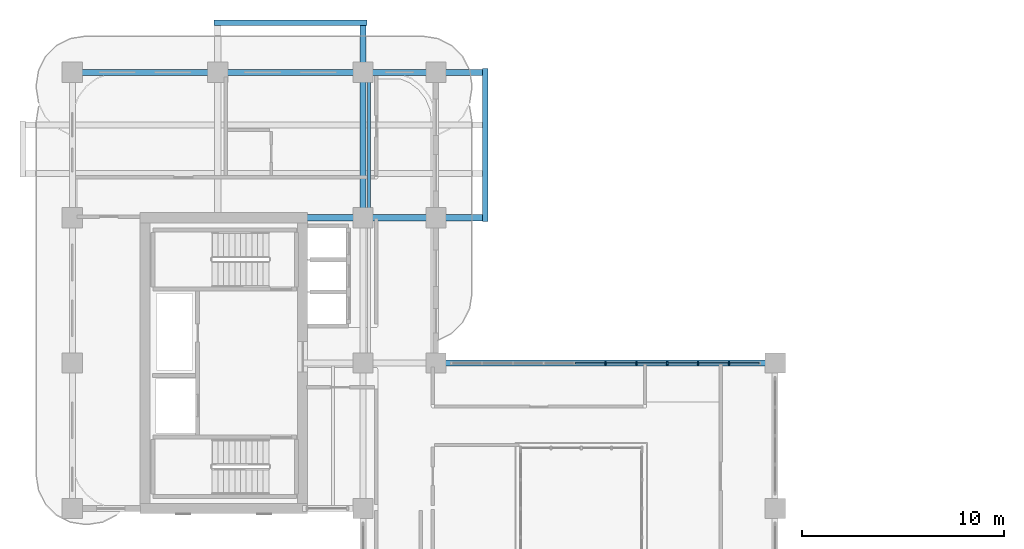
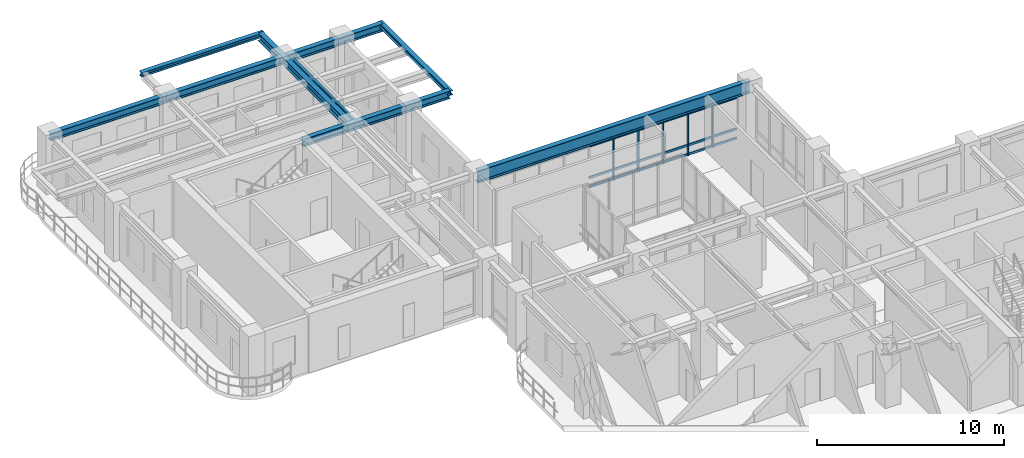
# One storey, part 6 of 21: 23 members, 8 beams, 1 element without a shape of its own.
"""IFC4 building model written with IfcOpenShell, lengths in metres."""

from ifc_helpers import new_model, si_unit, derived_unit, direction, frame, origin, origin_2d, place, context, subcontext, project, spatial, rectangle, i_section, extrude, source, transform, mapped, material, layer, layer_set, material_profile, profile_set, type_object, type_shapes, element, aggregate, save


model = new_model("IFC4")

# Units and contexts
model_context = context("Model", 3, precision=1e-05, world=origin(), true_north=direction((0.0, 1.0)))
body_context = subcontext(model_context, "Body", "Model", "MODEL_VIEW")
ifc_project = project(units=[si_unit("LENGTHUNIT", "METRE"), si_unit("AREAUNIT", "SQUARE_METRE"), si_unit("VOLUMEUNIT", "CUBIC_METRE"), si_unit("PLANEANGLEUNIT", "RADIAN"), si_unit("MASSUNIT", "GRAM", prefix="KILO"), si_unit("THERMODYNAMICTEMPERATUREUNIT", "KELVIN"), si_unit("POWERUNIT", "WATT"), derived_unit("THERMALTRANSMITTANCEUNIT", [(si_unit("POWERUNIT", "WATT"), 1), (si_unit("AREAUNIT", "SQUARE_METRE"), -1), (si_unit("THERMODYNAMICTEMPERATUREUNIT", "KELVIN"), -1)])], contexts=[model_context])

# Site, building, storey
site_placement = place(None, origin())
site = spatial("IfcSite", under=ifc_project, at=site_placement, CompositionType="ELEMENT")
building_placement = place(site_placement, origin())
building = spatial("IfcBuilding", under=site, at=building_placement, Name="Zahravan Archway Hotel and Residences", CompositionType="ELEMENT")
storey_placement = place(building_placement, frame((0.0, 0.0, 165.699951171875)))
storey = spatial("IfcBuildingStorey", under=building, at=storey_placement, Name="L41", CompositionType="ELEMENT", Elevation=165.699951171875)

# Beams
ifc_material_1 = material(Name="Structural Steel S355JR", Category="steel")
ifc_material_profile_1 = material_profile(ifc_material_1, i_section(OverallWidth=0.280029296875, OverallDepth=0.280029296875, WebThickness=0.010498046875, FlangeThickness=0.01806640625, FilletRadius=0.02392578125, at=origin_2d()), Name="HEB 280", Category="steel")
ifc_profile_set_1 = profile_set([ifc_material_profile_1], Name="Structural Steel S355JR")
beam_type_1 = type_object("IfcBeamType", Name="BM-SPN-HEB280", PredefinedType="SPANDREL", material=ifc_profile_set_1)
shared_shape_1 = source(origin(), body_context, "Body", "SweptSolid", [
    extrude(i_section(OverallWidth=0.280029296875, OverallDepth=0.280029296875, WebThickness=0.010498046875, FlangeThickness=0.01806640625, FilletRadius=0.02392578125, at=origin_2d()), origin(), (0.0, 0.0, 1.0), 7.56005859375),
])
type_shapes(beam_type_1, [shared_shape_1])
for number, where, z_axis, x_axis, name in (
    (1, (20.449951171875, 39.419921875, 3.4599609375), (0.0, 1.0, 0.0), (-1.0, 0.0, 0.0), "L42 EB Balcony Edge Spandrel"),
    (2, (7.02001953125, 49.25, 3.4599609375), (1.0, 0.0, 0.0), (0.0, 1.0, 0.0), "L42 NB Balcony Edge Spandrel"),
):
    element("IfcBeam", number, at=place(storey_placement, frame(where, z_axis=z_axis, x_axis=x_axis)), inside=storey, type_object=beam_type_1, Name=name, PredefinedType="SPANDREL", context=body_context, shape_type="MappedRepresentation", body=[
        mapped(shared_shape_1, transform((0.0, 0.0, 0.0), scale=1.0)),
    ])
ifc_material_2 = material(Name="Structural Steel S355J2", Category="steel")
ifc_material_profile_2 = material_profile(ifc_material_2, i_section(OverallWidth=0.300048828125, OverallDepth=0.800048828125, WebThickness=0.017578125, FlangeThickness=0.032958984375, FilletRadius=0.030029296875, at=origin_2d()), Name="HEB 800", Category="steel")
ifc_profile_set_2 = profile_set([ifc_material_profile_2], Name="Structural Steel S355J2")
beam_type_2 = type_object("IfcBeamType", Name="BM-PRI-HEB800", PredefinedType="BEAM", material=ifc_profile_set_2)
shared_shape_2 = source(origin(), body_context, "Body", "SweptSolid", [
    extrude(i_section(OverallWidth=0.300048828125, OverallDepth=0.800048828125, WebThickness=0.017578125, FlangeThickness=0.032958984375, FilletRadius=0.030029296875, at=origin_2d()), origin(), (0.0, 0.0, 1.0), 16.800048828125),
])
type_shapes(beam_type_2, [shared_shape_2])
beam_1_placement = place(storey_placement, frame((18.0, 32.39990234375, 3.199951171875), z_axis=(1.0, 0.0, 0.0), x_axis=(0.0, 1.0, 0.0)))
element("IfcBeam", 3, at=beam_1_placement, inside=storey, type_object=beam_type_2, Name="L41 Primary Girder EW-18", PredefinedType="BEAM", context=body_context, shape_type="MappedRepresentation", body=[
    mapped(shared_shape_2, transform((0.0, 0.0, 0.0), scale=1.0)),
])
ifc_material_profile_3 = material_profile(ifc_material_1, i_section(OverallWidth=0.300048828125, OverallDepth=0.5, WebThickness=0.014404296875, FlangeThickness=0.028076171875, FilletRadius=0.027099609375, at=origin_2d()), Name="HEB 500", Category="steel")
ifc_profile_set_3 = profile_set([ifc_material_profile_3], Name="Structural Steel S355JR")
beam_type_3 = type_object("IfcBeamType", Name="BM-PRI-HEB500", PredefinedType="BEAM", material=ifc_profile_set_3)
shared_shape_3 = source(origin(), body_context, "Body", "SweptSolid", [
    extrude(i_section(OverallWidth=0.300048828125, OverallDepth=0.5, WebThickness=0.014404296875, FlangeThickness=0.028076171875, FilletRadius=0.027099609375, at=origin_2d()), origin(), (0.0, 0.0, 1.0), 7.199951171875),
])
beam_2_placement = place(storey_placement, frame((0.0, 46.800048828125, 3.35009765625), z_axis=(1.0, 0.0, 0.0), x_axis=(0.0, 1.0, 0.0)))
element("IfcBeam", 4, at=beam_2_placement, inside=storey, type_object=beam_type_3, Name="L41 Primary Girder EW-20", PredefinedType="BEAM", context=body_context, shape_type="MappedRepresentation", body=[
    mapped(shared_shape_3, transform((0.0, 0.0, 0.0), scale=1.0)),
])
shared_shape_4 = source(origin(), body_context, "Body", "SweptSolid", [
    extrude(i_section(OverallWidth=0.300048828125, OverallDepth=0.5, WebThickness=0.014404296875, FlangeThickness=0.028076171875, FilletRadius=0.027099609375, at=origin_2d()), origin(), (0.0, 0.0, 1.0), 9.050048828125),
])
beam_3_placement = place(storey_placement, frame((11.39990234375, 39.60009765625, 3.35009765625), z_axis=(1.0, 0.0, 0.0), x_axis=(0.0, 1.0, 0.0)))
element("IfcBeam", 5, at=beam_3_placement, inside=storey, type_object=beam_type_3, Name="L41 Primary Girder EW-19", PredefinedType="BEAM", context=body_context, shape_type="MappedRepresentation", body=[
    mapped(shared_shape_4, transform((0.0, 0.0, 0.0), scale=1.0)),
])
shared_shape_5 = source(origin(), body_context, "Body", "SweptSolid", [
    extrude(i_section(OverallWidth=0.300048828125, OverallDepth=0.5, WebThickness=0.014404296875, FlangeThickness=0.028076171875, FilletRadius=0.027099609375, at=origin_2d()), origin(), (0.0, 0.0, 1.0), 13.25),
])
beam_4_placement = place(storey_placement, frame((7.199951171875, 46.800048828125, 3.35009765625), z_axis=(1.0, 0.0, 0.0), x_axis=(0.0, 1.0, 0.0)))
element("IfcBeam", 6, at=beam_4_placement, inside=storey, type_object=beam_type_3, Name="L41 Primary Girder EW-21", PredefinedType="BEAM", context=body_context, shape_type="MappedRepresentation", body=[
    mapped(shared_shape_5, transform((0.0, 0.0, 0.0), scale=1.0)),
])
shared_shape_6 = source(origin(), body_context, "Body", "SweptSolid", [
    extrude(i_section(OverallWidth=0.300048828125, OverallDepth=0.5, WebThickness=0.014404296875, FlangeThickness=0.028076171875, FilletRadius=0.027099609375, at=origin_2d()), origin(), (0.0, 0.0, 1.0), 9.64990234375),
])
beam_5_placement = place(storey_placement, frame((14.39990234375, 39.60009765625, 3.35009765625), z_axis=(0.0, 1.0, 0.0), x_axis=(-1.0, 0.0, 0.0)))
element("IfcBeam", 7, at=beam_5_placement, inside=storey, type_object=beam_type_3, Name="L41 Primary Girder NS-34", PredefinedType="BEAM", context=body_context, shape_type="MappedRepresentation", body=[
    mapped(shared_shape_6, transform((0.0, 0.0, 0.0), scale=1.0)),
])
ifc_material_profile_4 = material_profile(ifc_material_1, i_section(OverallWidth=0.14990234375, OverallDepth=0.300048828125, WebThickness=0.007080078125, FlangeThickness=0.0107421875, FilletRadius=0.014892578125, at=origin_2d()), Name="IPE 300", Category="steel")
ifc_profile_set_4 = profile_set([ifc_material_profile_4], Name="Structural Steel S355JR")
beam_type_4 = type_object("IfcBeamType", Name="BM-JST-IPE300", PredefinedType="JOIST", material=ifc_profile_set_4)
shared_shape_7 = source(origin(), body_context, "Body", "SweptSolid", [
    extrude(i_section(OverallWidth=0.14990234375, OverallDepth=0.300048828125, WebThickness=0.007080078125, FlangeThickness=0.0107421875, FilletRadius=0.014892578125, at=origin_2d()), origin(), (0.0, 0.0, 1.0), 6.904052734375),
])
type_shapes(beam_type_4, [shared_shape_7])
beam_6_placement = place(storey_placement, frame((14.699951171875, 39.748046875, 3.449951171875), z_axis=(0.0, 1.0, 0.0), x_axis=(-1.0, 0.0, 0.0)))
element("IfcBeam", 8, at=beam_6_placement, inside=storey, type_object=beam_type_4, Name="L41 Composite Floor Joist 12", PredefinedType="JOIST", context=body_context, shape_type="MappedRepresentation", body=[
    mapped(shared_shape_7, transform((0.0, 0.0, 0.0), scale=1.0)),
])

# Curtain wall, members
ifc_material_3 = material(Name="Bronze-Anodized Unitised Aluminium & Low-E Glass", Category="aluminium")
ifc_layer = layer(ifc_material_3, 0.179931640625, Name="Bronze-Anodized Unitised Aluminium & Low-E Glass", Category="aluminium")
ifc_layer_set = layer_set([ifc_layer], Name="Bronze-Anodized Unitised Aluminium & Low-E Glass")
curtain_wall_type = type_object("IfcCurtainWallType", Name="CW-ATR-GLAZ", PredefinedType="NOTDEFINED", material=ifc_layer_set)
curtain_wall_placement = place(storey_placement, origin())
curtain_wall = element("IfcCurtainWall", 9, at=curtain_wall_placement, inside=storey, type_object=curtain_wall_type, Name="L41 Curtain Wall CW-L41-HNG-N-1", PredefinedType="NOTDEFINED")
ifc_material_4 = material(Name="Bronze-Anodized Extruded Aluminium", Category="aluminium")
ifc_material_profile_5 = material_profile(ifc_material_4, rectangle(XDim=0.080078125, YDim=0.139892578125, at=origin_2d()), Name="TRN 80x140", Category="aluminium")
ifc_profile_set_5 = profile_set([ifc_material_profile_5], Name="Bronze-Anodized Extruded Aluminium")
member_type_1 = type_object("IfcMemberType", Name="CWM-TRN-140", PredefinedType="USERDEFINED", material=ifc_profile_set_5)
shared_shape_8 = source(origin(), body_context, "Body", "SweptSolid", [
    extrude(rectangle(XDim=0.080078125, YDim=0.139892578125, at=origin_2d()), origin(), (0.0, 0.0, 1.0), 1.447998046875),
])
member_1_placement = place(storey_placement, frame((24.912109375, 32.39990234375, 0.070068359375), z_axis=(1.0, 0.0, 0.0), x_axis=(0.0, 1.0, 0.0)))
member_1 = element("IfcMember", 10, at=member_1_placement, type_object=member_type_1, Name="CW-L41-HNG-N-1 Transom 4-1", ObjectType="TRANSOM", PredefinedType="USERDEFINED", context=body_context, shape_type="MappedRepresentation", body=[
    mapped(shared_shape_8, transform((0.0, 0.0, 0.0), scale=1.0)),
])
member_2_placement = place(storey_placement, frame((24.912109375, 32.39990234375, 0.66845703125), z_axis=(1.0, 0.0, 0.0), x_axis=(0.0, 1.0, 0.0)))
member_2 = element("IfcMember", 11, at=member_2_placement, type_object=member_type_1, Name="CW-L41-HNG-N-1 Transom 4-2", ObjectType="TRANSOM", PredefinedType="USERDEFINED", context=body_context, shape_type="MappedRepresentation", body=[
    mapped(shared_shape_8, transform((0.0, 0.0, 0.0), scale=1.0)),
])
member_3_placement = place(storey_placement, frame((24.912109375, 32.39990234375, 2.715087890625), z_axis=(1.0, 0.0, 0.0), x_axis=(0.0, 1.0, 0.0)))
member_3 = element("IfcMember", 12, at=member_3_placement, type_object=member_type_1, Name="CW-L41-HNG-N-1 Transom 4-3", ObjectType="TRANSOM", PredefinedType="USERDEFINED", context=body_context, shape_type="MappedRepresentation", body=[
    mapped(shared_shape_8, transform((0.0, 0.0, 0.0), scale=1.0)),
])
member_4_placement = place(storey_placement, frame((26.43994140625, 32.39990234375, 0.070068359375), z_axis=(1.0, 0.0, 0.0), x_axis=(0.0, 1.0, 0.0)))
member_4 = element("IfcMember", 13, at=member_4_placement, type_object=member_type_1, Name="CW-L41-HNG-N-1 Transom 5-1", ObjectType="TRANSOM", PredefinedType="USERDEFINED", context=body_context, shape_type="MappedRepresentation", body=[
    mapped(shared_shape_8, transform((0.0, 0.0, 0.0), scale=1.0)),
])
member_5_placement = place(storey_placement, frame((26.43994140625, 32.39990234375, 0.66845703125), z_axis=(1.0, 0.0, 0.0), x_axis=(0.0, 1.0, 0.0)))
member_5 = element("IfcMember", 14, at=member_5_placement, type_object=member_type_1, Name="CW-L41-HNG-N-1 Transom 5-2", ObjectType="TRANSOM", PredefinedType="USERDEFINED", context=body_context, shape_type="MappedRepresentation", body=[
    mapped(shared_shape_8, transform((0.0, 0.0, 0.0), scale=1.0)),
])
member_6_placement = place(storey_placement, frame((26.43994140625, 32.39990234375, 2.715087890625), z_axis=(1.0, 0.0, 0.0), x_axis=(0.0, 1.0, 0.0)))
member_6 = element("IfcMember", 15, at=member_6_placement, type_object=member_type_1, Name="CW-L41-HNG-N-1 Transom 5-3", ObjectType="TRANSOM", PredefinedType="USERDEFINED", context=body_context, shape_type="MappedRepresentation", body=[
    mapped(shared_shape_8, transform((0.0, 0.0, 0.0), scale=1.0)),
])
member_7_placement = place(storey_placement, frame((27.968017578125, 32.39990234375, 0.070068359375), z_axis=(1.0, 0.0, 0.0), x_axis=(0.0, 1.0, 0.0)))
member_7 = element("IfcMember", 16, at=member_7_placement, type_object=member_type_1, Name="CW-L41-HNG-N-1 Transom 6-1", ObjectType="TRANSOM", PredefinedType="USERDEFINED", context=body_context, shape_type="MappedRepresentation", body=[
    mapped(shared_shape_8, transform((0.0, 0.0, 0.0), scale=1.0)),
])
member_8_placement = place(storey_placement, frame((27.968017578125, 32.39990234375, 0.66845703125), z_axis=(1.0, 0.0, 0.0), x_axis=(0.0, 1.0, 0.0)))
member_8 = element("IfcMember", 17, at=member_8_placement, type_object=member_type_1, Name="CW-L41-HNG-N-1 Transom 6-2", ObjectType="TRANSOM", PredefinedType="USERDEFINED", context=body_context, shape_type="MappedRepresentation", body=[
    mapped(shared_shape_8, transform((0.0, 0.0, 0.0), scale=1.0)),
])
member_9_placement = place(storey_placement, frame((27.968017578125, 32.39990234375, 2.715087890625), z_axis=(1.0, 0.0, 0.0), x_axis=(0.0, 1.0, 0.0)))
member_9 = element("IfcMember", 18, at=member_9_placement, type_object=member_type_1, Name="CW-L41-HNG-N-1 Transom 6-3", ObjectType="TRANSOM", PredefinedType="USERDEFINED", context=body_context, shape_type="MappedRepresentation", body=[
    mapped(shared_shape_8, transform((0.0, 0.0, 0.0), scale=1.0)),
])
member_10_placement = place(storey_placement, frame((29.49609375, 32.39990234375, 0.070068359375), z_axis=(1.0, 0.0, 0.0), x_axis=(0.0, 1.0, 0.0)))
member_10 = element("IfcMember", 19, at=member_10_placement, type_object=member_type_1, Name="CW-L41-HNG-N-1 Transom 7-1", ObjectType="TRANSOM", PredefinedType="USERDEFINED", context=body_context, shape_type="MappedRepresentation", body=[
    mapped(shared_shape_8, transform((0.0, 0.0, 0.0), scale=1.0)),
])
member_11_placement = place(storey_placement, frame((29.49609375, 32.39990234375, 0.66845703125), z_axis=(1.0, 0.0, 0.0), x_axis=(0.0, 1.0, 0.0)))
member_11 = element("IfcMember", 20, at=member_11_placement, type_object=member_type_1, Name="CW-L41-HNG-N-1 Transom 7-2", ObjectType="TRANSOM", PredefinedType="USERDEFINED", context=body_context, shape_type="MappedRepresentation", body=[
    mapped(shared_shape_8, transform((0.0, 0.0, 0.0), scale=1.0)),
])
member_12_placement = place(storey_placement, frame((29.49609375, 32.39990234375, 2.715087890625), z_axis=(1.0, 0.0, 0.0), x_axis=(0.0, 1.0, 0.0)))
member_12 = element("IfcMember", 21, at=member_12_placement, type_object=member_type_1, Name="CW-L41-HNG-N-1 Transom 7-3", ObjectType="TRANSOM", PredefinedType="USERDEFINED", context=body_context, shape_type="MappedRepresentation", body=[
    mapped(shared_shape_8, transform((0.0, 0.0, 0.0), scale=1.0)),
])
member_13_placement = place(storey_placement, frame((31.02392578125, 32.39990234375, 0.070068359375), z_axis=(1.0, 0.0, 0.0), x_axis=(0.0, 1.0, 0.0)))
member_13 = element("IfcMember", 22, at=member_13_placement, type_object=member_type_1, Name="CW-L41-HNG-N-1 Transom 8-1", ObjectType="TRANSOM", PredefinedType="USERDEFINED", context=body_context, shape_type="MappedRepresentation", body=[
    mapped(shared_shape_8, transform((0.0, 0.0, 0.0), scale=1.0)),
])
member_14_placement = place(storey_placement, frame((31.02392578125, 32.39990234375, 0.66845703125), z_axis=(1.0, 0.0, 0.0), x_axis=(0.0, 1.0, 0.0)))
member_14 = element("IfcMember", 23, at=member_14_placement, type_object=member_type_1, Name="CW-L41-HNG-N-1 Transom 8-2", ObjectType="TRANSOM", PredefinedType="USERDEFINED", context=body_context, shape_type="MappedRepresentation", body=[
    mapped(shared_shape_8, transform((0.0, 0.0, 0.0), scale=1.0)),
])
member_15_placement = place(storey_placement, frame((31.02392578125, 32.39990234375, 2.715087890625), z_axis=(1.0, 0.0, 0.0), x_axis=(0.0, 1.0, 0.0)))
member_15 = element("IfcMember", 24, at=member_15_placement, type_object=member_type_1, Name="CW-L41-HNG-N-1 Transom 8-3", ObjectType="TRANSOM", PredefinedType="USERDEFINED", context=body_context, shape_type="MappedRepresentation", body=[
    mapped(shared_shape_8, transform((0.0, 0.0, 0.0), scale=1.0)),
])
member_16_placement = place(storey_placement, frame((32.552001953125, 32.39990234375, 0.070068359375), z_axis=(1.0, 0.0, 0.0), x_axis=(0.0, 1.0, 0.0)))
member_16 = element("IfcMember", 25, at=member_16_placement, type_object=member_type_1, Name="CW-L41-HNG-N-1 Transom 9-1", ObjectType="TRANSOM", PredefinedType="USERDEFINED", context=body_context, shape_type="MappedRepresentation", body=[
    mapped(shared_shape_8, transform((0.0, 0.0, 0.0), scale=1.0)),
])
member_17_placement = place(storey_placement, frame((32.552001953125, 32.39990234375, 0.66845703125), z_axis=(1.0, 0.0, 0.0), x_axis=(0.0, 1.0, 0.0)))
member_17 = element("IfcMember", 26, at=member_17_placement, type_object=member_type_1, Name="CW-L41-HNG-N-1 Transom 9-2", ObjectType="TRANSOM", PredefinedType="USERDEFINED", context=body_context, shape_type="MappedRepresentation", body=[
    mapped(shared_shape_8, transform((0.0, 0.0, 0.0), scale=1.0)),
])
member_18_placement = place(storey_placement, frame((32.552001953125, 32.39990234375, 2.715087890625), z_axis=(1.0, 0.0, 0.0), x_axis=(0.0, 1.0, 0.0)))
member_18 = element("IfcMember", 27, at=member_18_placement, type_object=member_type_1, Name="CW-L41-HNG-N-1 Transom 9-3", ObjectType="TRANSOM", PredefinedType="USERDEFINED", context=body_context, shape_type="MappedRepresentation", body=[
    mapped(shared_shape_8, transform((0.0, 0.0, 0.0), scale=1.0)),
])
ifc_material_profile_6 = material_profile(ifc_material_4, rectangle(XDim=0.080078125, YDim=0.159912109375, at=origin_2d()), Name="MUL 80x160", Category="aluminium")
ifc_profile_set_6 = profile_set([ifc_material_profile_6], Name="Bronze-Anodized Extruded Aluminium")
member_type_2 = type_object("IfcMemberType", Name="CWM-MUL-160", PredefinedType="MULLION", material=ifc_profile_set_6)
shared_shape_9 = source(origin(), body_context, "Body", "SweptSolid", [
    extrude(rectangle(XDim=0.080078125, YDim=0.159912109375, at=origin_2d()), origin(), (0.0, 0.0, 1.0), 2.78515625),
])
member_19_placement = place(storey_placement, frame((26.39990234375, 32.39990234375, 0.0), z_axis=(0.0, 0.0, 1.0), x_axis=(1.0, 0.0, 0.0)))
member_19 = element("IfcMember", 28, at=member_19_placement, type_object=member_type_2, Name="CW-L41-HNG-N-1 Mullion 5", PredefinedType="MULLION", context=body_context, shape_type="MappedRepresentation", body=[
    mapped(shared_shape_9, transform((0.0, 0.0, 0.0), scale=1.0)),
])
member_20_placement = place(storey_placement, frame((27.927978515625, 32.39990234375, 0.0), z_axis=(0.0, 0.0, 1.0), x_axis=(1.0, 0.0, 0.0)))
member_20 = element("IfcMember", 29, at=member_20_placement, type_object=member_type_2, Name="CW-L41-HNG-N-1 Mullion 6", PredefinedType="MULLION", context=body_context, shape_type="MappedRepresentation", body=[
    mapped(shared_shape_9, transform((0.0, 0.0, 0.0), scale=1.0)),
])
member_21_placement = place(storey_placement, frame((29.4560546875, 32.39990234375, 0.0), z_axis=(0.0, 0.0, 1.0), x_axis=(1.0, 0.0, 0.0)))
member_21 = element("IfcMember", 30, at=member_21_placement, type_object=member_type_2, Name="CW-L41-HNG-N-1 Mullion 7", PredefinedType="MULLION", context=body_context, shape_type="MappedRepresentation", body=[
    mapped(shared_shape_9, transform((0.0, 0.0, 0.0), scale=1.0)),
])
member_22_placement = place(storey_placement, frame((30.98388671875, 32.39990234375, 0.0), z_axis=(0.0, 0.0, 1.0), x_axis=(1.0, 0.0, 0.0)))
member_22 = element("IfcMember", 31, at=member_22_placement, type_object=member_type_2, Name="CW-L41-HNG-N-1 Mullion 8", PredefinedType="MULLION", context=body_context, shape_type="MappedRepresentation", body=[
    mapped(shared_shape_9, transform((0.0, 0.0, 0.0), scale=1.0)),
])
member_23_placement = place(storey_placement, frame((32.511962890625, 32.39990234375, 0.0), z_axis=(0.0, 0.0, 1.0), x_axis=(1.0, 0.0, 0.0)))
member_23 = element("IfcMember", 32, at=member_23_placement, type_object=member_type_2, Name="CW-L41-HNG-N-1 Mullion 9", PredefinedType="MULLION", context=body_context, shape_type="MappedRepresentation", body=[
    mapped(shared_shape_9, transform((0.0, 0.0, 0.0), scale=1.0)),
])
aggregate(curtain_wall, [member_19, member_20, member_21, member_22, member_23, member_1, member_2, member_3, member_4, member_5, member_6, member_7, member_8, member_9, member_10, member_11, member_12, member_13, member_14, member_15, member_16, member_17, member_18])

save(model, "model.ifc")
